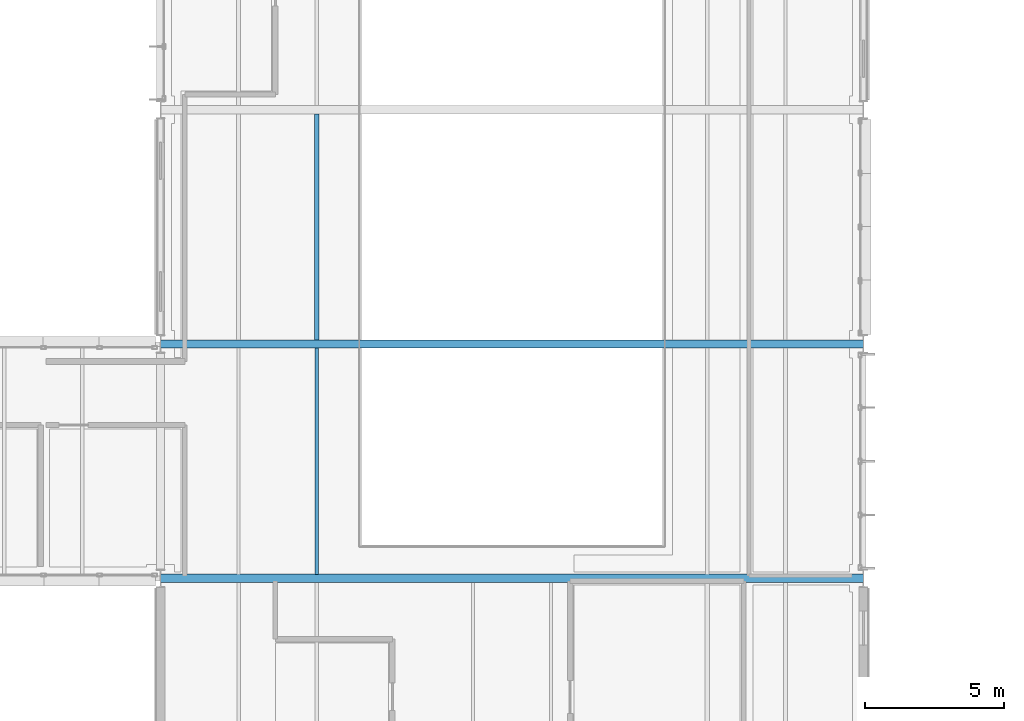
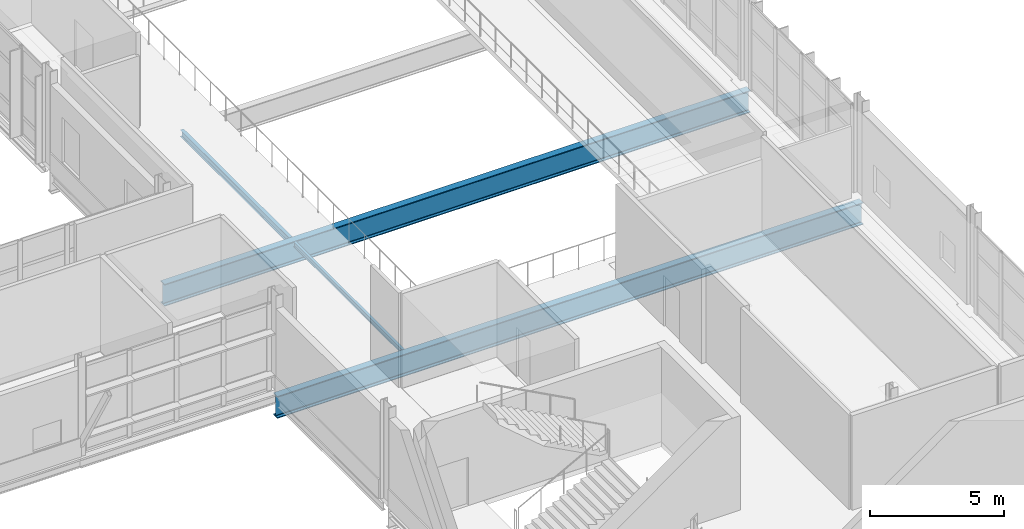
# One storey, part 34 of 129: 4 beams.
"""IFC4 building model written with IfcOpenShell, lengths in metres."""

from ifc_helpers import new_model, si_unit, direction, frame, origin, origin_2d, place, context, subcontext, project, spatial, i_section, extrude, material, material_profile, profile_set, type_object, element, save


model = new_model("IFC4")

# Units and contexts
model_context = context("Model", 3, precision=1e-05, world=origin(), true_north=direction((0.0, 1.0)))
body_context = subcontext(model_context, "Body", "Model", "MODEL_VIEW")
ifc_project = project(units=[si_unit("LENGTHUNIT", "METRE"), si_unit("AREAUNIT", "SQUARE_METRE"), si_unit("VOLUMEUNIT", "CUBIC_METRE"), si_unit("PLANEANGLEUNIT", "RADIAN"), si_unit("MASSUNIT", "GRAM", prefix="KILO")], contexts=[model_context])

# Site, building, storey
site_placement = place(None, origin())
site = spatial("IfcSite", under=ifc_project, at=site_placement, CompositionType="ELEMENT")
building_placement = place(site_placement, origin())
building = spatial("IfcBuilding", under=site, at=building_placement, Name="Mersafa Astral City Hall", CompositionType="ELEMENT")
storey_placement = place(building_placement, frame((0.0, 0.0, 5.39990234375)))
storey = spatial("IfcBuildingStorey", under=building, at=storey_placement, Name="L01", CompositionType="ELEMENT", Elevation=5.39990234375)

# Beams
ifc_material = material(Name="Steel S355", Category="steel")
ifc_material_profile_1 = material_profile(ifc_material, i_section(OverallWidth=0.110107421875, OverallDepth=0.219970703125, WebThickness=0.005859375, FlangeThickness=0.00927734375, FilletRadius=0.011962890625, at=origin_2d()), Name="IPE 220")
ifc_profile_set_1 = profile_set([ifc_material_profile_1], Name="Steel S355")
beam_type_1 = type_object("IfcBeamType", Name="STR-BM-JOIST-IPE220", PredefinedType="JOIST", material=ifc_profile_set_1)
beam_1_placement = place(storey_placement, frame((98.0, 50.544921875, -0.3349609375), z_axis=(0.0, 1.0, 0.0), x_axis=(-1.0, 0.0, 0.0)))
element("IfcBeam", 1, at=beam_1_placement, inside=storey, type_object=beam_type_1, Name="L01 Composite secondary floor joist 275", PredefinedType="JOIST", context=body_context, shape_type="SweptSolid", body=[
    extrude(i_section(OverallWidth=0.110107421875, OverallDepth=0.219970703125, WebThickness=0.005859375, FlangeThickness=0.00927734375, FilletRadius=0.011962890625, at=origin_2d()), origin(), (0.0, 0.0, 1.0), 8.110107421875),
])
ifc_material_profile_2 = material_profile(ifc_material, i_section(OverallWidth=0.14990234375, OverallDepth=0.300048828125, WebThickness=0.007080078125, FlangeThickness=0.0107421875, FilletRadius=0.014892578125, at=origin_2d()), Name="IPE 300")
ifc_profile_set_2 = profile_set([ifc_material_profile_2], Name="Steel S355")
beam_type_2 = type_object("IfcBeamType", Name="STR-BM-JOIST-IPE300", PredefinedType="JOIST", material=ifc_profile_set_2)
beam_2_placement = place(storey_placement, frame((98.0, 58.945068359375, -0.375), z_axis=(0.0, 1.0, 0.0), x_axis=(-1.0, 0.0, 0.0)))
element("IfcBeam", 2, at=beam_2_placement, inside=storey, type_object=beam_type_2, Name="L01 Composite secondary floor joist 277", PredefinedType="JOIST", context=body_context, shape_type="SweptSolid", body=[
    extrude(i_section(OverallWidth=0.14990234375, OverallDepth=0.300048828125, WebThickness=0.007080078125, FlangeThickness=0.0107421875, FilletRadius=0.014892578125, at=origin_2d()), origin(), (0.0, 0.0, 1.0), 8.10986328125),
])
ifc_material_profile_3 = material_profile(ifc_material, i_section(OverallWidth=0.300048828125, OverallDepth=1.0, WebThickness=0.01904296875, FlangeThickness=0.035888671875, FilletRadius=0.030029296875, at=origin_2d()), Name="HEB 1000")
ifc_profile_set_3 = profile_set([ifc_material_profile_3], Name="Steel S355")
beam_type_3 = type_object("IfcBeamType", Name="STR-BM-PORTAL-HEB1000", PredefinedType="BEAM", material=ifc_profile_set_3)
for number, where, z_axis, x_axis, name in (
    (3, (92.403076171875, 50.39990234375, -0.724853515625), (1.0, 0.0, 0.0), (0.0, 1.0, 0.0), "L01 Public Service Hall clear-span portal girder 6"),
    (4, (92.403076171875, 58.800048828125, -0.724853515625), (1.0, 0.0, 0.0), (0.0, 1.0, 0.0), "L01 Public Service Hall clear-span portal girder 7"),
):
    element("IfcBeam", number, at=place(storey_placement, frame(where, z_axis=z_axis, x_axis=x_axis)), inside=storey, type_object=beam_type_3, Name=name, PredefinedType="BEAM", context=body_context, shape_type="SweptSolid", body=[
        extrude(i_section(OverallWidth=0.300048828125, OverallDepth=1.0, WebThickness=0.01904296875, FlangeThickness=0.035888671875, FilletRadius=0.030029296875, at=origin_2d()), origin(), (0.0, 0.0, 1.0), 25.19384765625),
    ])

save(model, "model.ifc")
